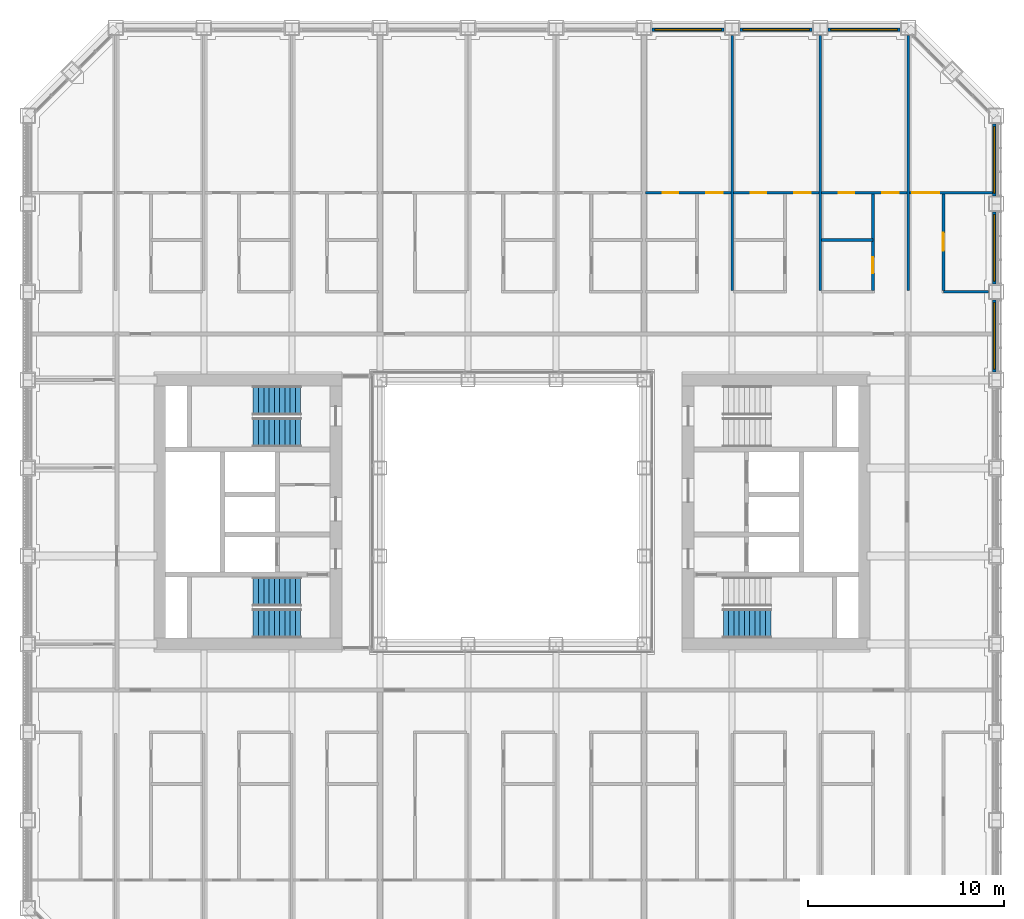
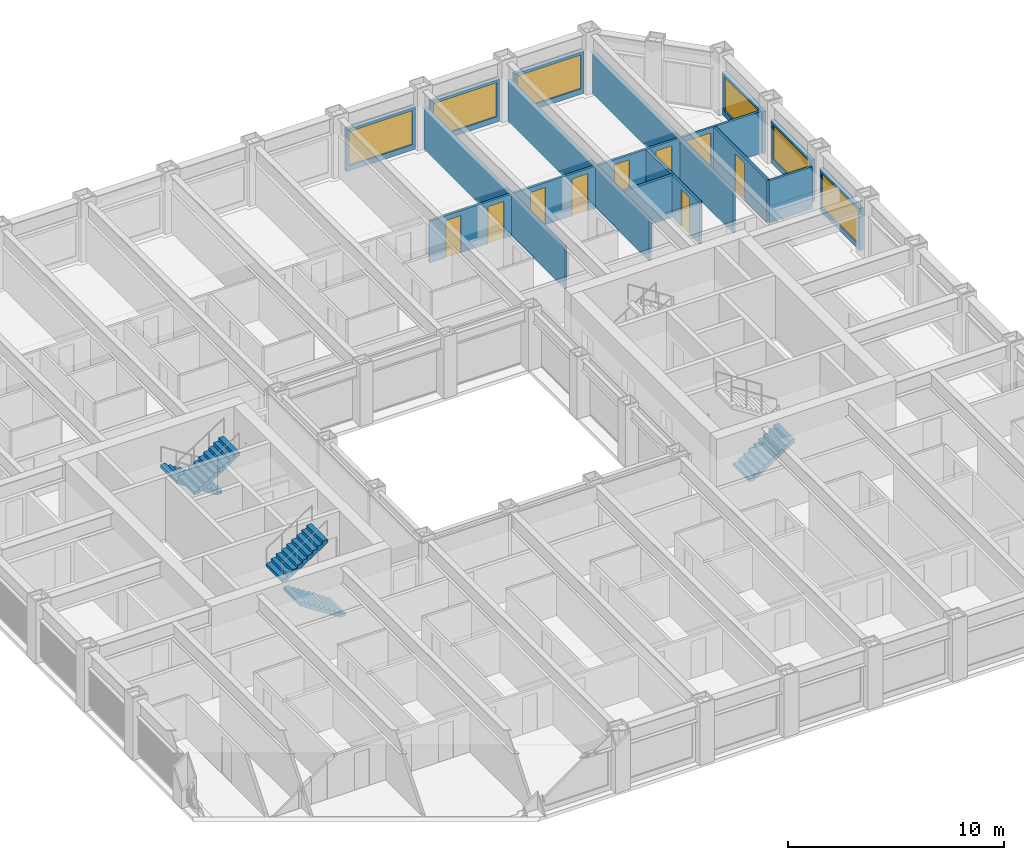
# One storey, part 15 of 21: 17 walls, 9 doors, 6 windows, 5 stair flights, 15 openings, 3 elements without a shape of their own.
"""IFC4 building model written with IfcOpenShell, lengths in metres."""

from ifc_helpers import new_model, si_unit, direction, frame, frame_2d, origin, place, context, subcontext, project, spatial, polyline, rectangle, outline, extrude, material, layer, layer_set, type_object, element, fill, aggregate, save


model = new_model("IFC4")

# Units and contexts
model_context = context("Model", 3, precision=1e-05, world=origin(), true_north=direction((0.0, 1.0)))
body_context = subcontext(model_context, "Body", "Model", "MODEL_VIEW")
ifc_project = project(units=[si_unit("LENGTHUNIT", "METRE"), si_unit("AREAUNIT", "SQUARE_METRE"), si_unit("VOLUMEUNIT", "CUBIC_METRE"), si_unit("PLANEANGLEUNIT", "RADIAN"), si_unit("MASSUNIT", "GRAM", prefix="KILO")], contexts=[model_context])

# Site, building, storey
site_placement = place(None, origin())
site = spatial("IfcSite", under=ifc_project, at=site_placement, CompositionType="ELEMENT")
building_placement = place(site_placement, origin())
building = spatial("IfcBuilding", under=site, at=building_placement, Name="Msasa Ring Tower", CompositionType="ELEMENT")
storey_placement = place(building_placement, frame((0.0, 0.0, 89.5)))
storey = spatial("IfcBuildingStorey", under=building, at=storey_placement, Name="L23", CompositionType="ELEMENT", Elevation=89.5)

# Wall, opening, window
ifc_material_1 = material(Name="Terracotta rainscreen on blockwork", Category="masonry")
ifc_layer_1 = layer(ifc_material_1, 0.199951171875)
ifc_layer_set_1 = layer_set([ifc_layer_1], Name="FW1 TERRACOTTA-LINED INFILL BAY WALL 200")
wall_type_1 = type_object("IfcWallType", Name="FW1 TERRACOTTA-LINED INFILL BAY WALL 200", PredefinedType="SOLIDWALL", material=ifc_layer_set_1)
wall_1_placement = place(storey_placement, frame((24.64990234375, 7.155029296875, 0.0), z_axis=(0.0, 0.0, 1.0), x_axis=(0.0, 1.0, 0.0)))
wall_1 = element("IfcWall", 1, at=wall_1_placement, inside=storey, type_object=wall_type_1, Name="Infill bay wall E L23 17", PredefinedType="SOLIDWALL", context=body_context, shape_type="SweptSolid", body=[
    extrude(rectangle(XDim=3.68994140625, YDim=0.199951171875, at=frame_2d((1.844970703125, 0.0))), origin(), (0.0, 0.0, 1.0), 2.37890625),
])
opening_1_placement = place(wall_1_placement, frame((0.14501953125, 0.0, 0.300048828125)))
opening_1 = element("IfcOpeningElement", 2, at=opening_1_placement, cuts=wall_1, Name="Opening WN1", PredefinedType="OPENING", context=body_context, shape_type="SweptSolid", body=[
    extrude(rectangle(XDim=3.39990234375, YDim=1.928955078125, at=frame_2d((1.699951171875, 0.96435546875))), frame((0.0, 0.10986328125, 0.0), z_axis=(0.0, -1.0, 0.0), x_axis=(1.0, 0.0, 0.0)), (0.0, 0.0, 1.0), 0.219970703125),
])
ifc_material_2 = material(Name="Aluminium frame with clear glass", Category="aluminium")
window_type = type_object("IfcWindowType", Name="WN1 RESIDENCE WINDOW 3400x1929", PartitioningType="SINGLE_PANEL", PredefinedType="WINDOW", material=ifc_material_2)
window_1_placement = place(opening_1_placement, origin())
window_1 = element("IfcWindow", 3, at=window_1_placement, inside=storey, type_object=window_type, Name="Window E L23 17", OverallHeight=1.928955078125, OverallWidth=3.39990234375, PartitioningType="SINGLE_PANEL", PredefinedType="WINDOW", context=body_context, shape_type="SweptSolid", body=[
    extrude(rectangle(XDim=3.39990234375, YDim=1.928955078125, at=frame_2d((1.699951171875, 0.96435546875))), frame((0.0, 0.030029296875, 0.0), z_axis=(0.0, -1.0, 0.0), x_axis=(1.0, 0.0, 0.0)), (0.0, 0.0, 1.0), 0.06005859375),
])
fill(opening_1, window_1)

wall_2_placement = place(storey_placement, frame((24.64990234375, 11.655029296875, 0.0), z_axis=(0.0, 0.0, 1.0), x_axis=(0.0, 1.0, 0.0)))
wall_2 = element("IfcWall", 4, at=wall_2_placement, inside=storey, type_object=wall_type_1, Name="Infill bay wall E L23 18", PredefinedType="SOLIDWALL", context=body_context, shape_type="SweptSolid", body=[
    extrude(rectangle(XDim=3.68994140625, YDim=0.199951171875, at=frame_2d((1.844970703125, 0.0))), origin(), (0.0, 0.0, 1.0), 2.37890625),
])
opening_2_placement = place(wall_2_placement, frame((0.14501953125, 0.0, 0.300048828125)))
opening_2 = element("IfcOpeningElement", 5, at=opening_2_placement, cuts=wall_2, Name="Opening WN1", PredefinedType="OPENING", context=body_context, shape_type="SweptSolid", body=[
    extrude(rectangle(XDim=3.39990234375, YDim=1.928955078125, at=frame_2d((1.699951171875, 0.96435546875))), frame((0.0, 0.10986328125, 0.0), z_axis=(0.0, -1.0, 0.0), x_axis=(1.0, 0.0, 0.0)), (0.0, 0.0, 1.0), 0.219970703125),
])
window_2_placement = place(opening_2_placement, origin())
window_2 = element("IfcWindow", 6, at=window_2_placement, inside=storey, type_object=window_type, Name="Window E L23 18", OverallHeight=1.928955078125, OverallWidth=3.39990234375, PartitioningType="SINGLE_PANEL", PredefinedType="WINDOW", context=body_context, shape_type="SweptSolid", body=[
    extrude(rectangle(XDim=3.39990234375, YDim=1.928955078125, at=frame_2d((1.699951171875, 0.96435546875))), frame((0.0, 0.030029296875, 0.0), z_axis=(0.0, -1.0, 0.0), x_axis=(1.0, 0.0, 0.0)), (0.0, 0.0, 1.0), 0.06005859375),
])
fill(opening_2, window_2)

wall_3_placement = place(storey_placement, frame((24.64990234375, 16.155029296875, 0.0), z_axis=(0.0, 0.0, 1.0), x_axis=(0.0, 1.0, 0.0)))
wall_3 = element("IfcWall", 7, at=wall_3_placement, inside=storey, type_object=wall_type_1, Name="Infill bay wall E L23 19", PredefinedType="SOLIDWALL", context=body_context, shape_type="SweptSolid", body=[
    extrude(rectangle(XDim=3.68994140625, YDim=0.199951171875, at=frame_2d((1.844970703125, 0.0))), origin(), (0.0, 0.0, 1.0), 2.37890625),
])
opening_3_placement = place(wall_3_placement, frame((0.14501953125, 0.0, 0.300048828125)))
opening_3 = element("IfcOpeningElement", 8, at=opening_3_placement, cuts=wall_3, Name="Opening WN1", PredefinedType="OPENING", context=body_context, shape_type="SweptSolid", body=[
    extrude(rectangle(XDim=3.39990234375, YDim=1.928955078125, at=frame_2d((1.699951171875, 0.96435546875))), frame((0.0, 0.10986328125, 0.0), z_axis=(0.0, -1.0, 0.0), x_axis=(1.0, 0.0, 0.0)), (0.0, 0.0, 1.0), 0.219970703125),
])
window_3_placement = place(opening_3_placement, origin())
window_3 = element("IfcWindow", 9, at=window_3_placement, inside=storey, type_object=window_type, Name="Window E L23 19", OverallHeight=1.928955078125, OverallWidth=3.39990234375, PartitioningType="SINGLE_PANEL", PredefinedType="WINDOW", context=body_context, shape_type="SweptSolid", body=[
    extrude(rectangle(XDim=3.39990234375, YDim=1.928955078125, at=frame_2d((1.699951171875, 0.96435546875))), frame((0.0, 0.030029296875, 0.0), z_axis=(0.0, -1.0, 0.0), x_axis=(1.0, 0.0, 0.0)), (0.0, 0.0, 1.0), 0.06005859375),
])
fill(opening_3, window_3)

wall_4_placement = place(storey_placement, frame((7.155029296875, 24.64990234375, 0.0), z_axis=(0.0, 0.0, 1.0), x_axis=(1.0, 0.0, 0.0)))
wall_4 = element("IfcWall", 10, at=wall_4_placement, inside=storey, type_object=wall_type_1, Name="Infill bay wall N L23 28", PredefinedType="SOLIDWALL", context=body_context, shape_type="SweptSolid", body=[
    extrude(rectangle(XDim=3.68994140625, YDim=0.199951171875, at=frame_2d((1.844970703125, 0.0))), origin(), (0.0, 0.0, 1.0), 2.37890625),
])
opening_4_placement = place(wall_4_placement, frame((0.14501953125, 0.0, 0.300048828125)))
opening_4 = element("IfcOpeningElement", 11, at=opening_4_placement, cuts=wall_4, Name="Opening WN1", PredefinedType="OPENING", context=body_context, shape_type="SweptSolid", body=[
    extrude(rectangle(XDim=3.39990234375, YDim=1.928955078125, at=frame_2d((1.699951171875, 0.96435546875))), frame((0.0, 0.10986328125, 0.0), z_axis=(0.0, -1.0, 0.0), x_axis=(1.0, 0.0, 0.0)), (0.0, 0.0, 1.0), 0.219970703125),
])
window_4_placement = place(opening_4_placement, origin())
window_4 = element("IfcWindow", 12, at=window_4_placement, inside=storey, type_object=window_type, Name="Window N L23 28", OverallHeight=1.928955078125, OverallWidth=3.39990234375, PartitioningType="SINGLE_PANEL", PredefinedType="WINDOW", context=body_context, shape_type="SweptSolid", body=[
    extrude(rectangle(XDim=3.39990234375, YDim=1.928955078125, at=frame_2d((1.699951171875, 0.96435546875))), frame((0.0, 0.030029296875, 0.0), z_axis=(0.0, -1.0, 0.0), x_axis=(1.0, 0.0, 0.0)), (0.0, 0.0, 1.0), 0.06005859375),
])
fill(opening_4, window_4)

wall_5_placement = place(storey_placement, frame((11.655029296875, 24.64990234375, 0.0), z_axis=(0.0, 0.0, 1.0), x_axis=(1.0, 0.0, 0.0)))
wall_5 = element("IfcWall", 13, at=wall_5_placement, inside=storey, type_object=wall_type_1, Name="Infill bay wall N L23 29", PredefinedType="SOLIDWALL", context=body_context, shape_type="SweptSolid", body=[
    extrude(rectangle(XDim=3.68994140625, YDim=0.199951171875, at=frame_2d((1.844970703125, 0.0))), origin(), (0.0, 0.0, 1.0), 2.37890625),
])
opening_5_placement = place(wall_5_placement, frame((0.14501953125, 0.0, 0.300048828125)))
opening_5 = element("IfcOpeningElement", 14, at=opening_5_placement, cuts=wall_5, Name="Opening WN1", PredefinedType="OPENING", context=body_context, shape_type="SweptSolid", body=[
    extrude(rectangle(XDim=3.39990234375, YDim=1.928955078125, at=frame_2d((1.699951171875, 0.96435546875))), frame((0.0, 0.10986328125, 0.0), z_axis=(0.0, -1.0, 0.0), x_axis=(1.0, 0.0, 0.0)), (0.0, 0.0, 1.0), 0.219970703125),
])
window_5_placement = place(opening_5_placement, origin())
window_5 = element("IfcWindow", 15, at=window_5_placement, inside=storey, type_object=window_type, Name="Window N L23 29", OverallHeight=1.928955078125, OverallWidth=3.39990234375, PartitioningType="SINGLE_PANEL", PredefinedType="WINDOW", context=body_context, shape_type="SweptSolid", body=[
    extrude(rectangle(XDim=3.39990234375, YDim=1.928955078125, at=frame_2d((1.699951171875, 0.96435546875))), frame((0.0, 0.030029296875, 0.0), z_axis=(0.0, -1.0, 0.0), x_axis=(1.0, 0.0, 0.0)), (0.0, 0.0, 1.0), 0.06005859375),
])
fill(opening_5, window_5)

wall_6_placement = place(storey_placement, frame((16.155029296875, 24.64990234375, 0.0), z_axis=(0.0, 0.0, 1.0), x_axis=(1.0, 0.0, 0.0)))
wall_6 = element("IfcWall", 16, at=wall_6_placement, inside=storey, type_object=wall_type_1, Name="Infill bay wall N L23 30", PredefinedType="SOLIDWALL", context=body_context, shape_type="SweptSolid", body=[
    extrude(rectangle(XDim=3.68994140625, YDim=0.199951171875, at=frame_2d((1.844970703125, 0.0))), origin(), (0.0, 0.0, 1.0), 2.37890625),
])
opening_6_placement = place(wall_6_placement, frame((0.14501953125, 0.0, 0.300048828125)))
opening_6 = element("IfcOpeningElement", 17, at=opening_6_placement, cuts=wall_6, Name="Opening WN1", PredefinedType="OPENING", context=body_context, shape_type="SweptSolid", body=[
    extrude(rectangle(XDim=3.39990234375, YDim=1.928955078125, at=frame_2d((1.699951171875, 0.96435546875))), frame((0.0, 0.10986328125, 0.0), z_axis=(0.0, -1.0, 0.0), x_axis=(1.0, 0.0, 0.0)), (0.0, 0.0, 1.0), 0.219970703125),
])
window_6_placement = place(opening_6_placement, origin())
window_6 = element("IfcWindow", 18, at=window_6_placement, inside=storey, type_object=window_type, Name="Window N L23 30", OverallHeight=1.928955078125, OverallWidth=3.39990234375, PartitioningType="SINGLE_PANEL", PredefinedType="WINDOW", context=body_context, shape_type="SweptSolid", body=[
    extrude(rectangle(XDim=3.39990234375, YDim=1.928955078125, at=frame_2d((1.699951171875, 0.96435546875))), frame((0.0, 0.030029296875, 0.0), z_axis=(0.0, -1.0, 0.0), x_axis=(1.0, 0.0, 0.0)), (0.0, 0.0, 1.0), 0.06005859375),
])
fill(opening_6, window_6)

# Wall, opening, door
ifc_material_3 = material(Name="Moisture-resistant board on steel studs with a concealed cistern and pipe void, tiled", Category="steel")
ifc_layer_2 = layer(ifc_material_3, 0.14990234375)
ifc_layer_set_2 = layer_set([ifc_layer_2], Name="PT4 BATHROOM WET WALL 150")
wall_type_2 = type_object("IfcWallType", Name="PT4 BATHROOM WET WALL 150", PredefinedType="PARTITIONING", material=ifc_layer_set_2)
wall_7_placement = place(storey_placement, frame((22.050048828125, 11.3125, 0.0), z_axis=(0.0, 0.0, 1.0), x_axis=(0.0, 1.0, 0.0)))
wall_7 = element("IfcWall", 19, at=wall_7_placement, inside=storey, type_object=wall_type_2, Name="Partition L23-UN02SX0", PredefinedType="PARTITIONING", context=body_context, shape_type="SweptSolid", body=[
    extrude(rectangle(XDim=5.0, YDim=0.14990234375, at=frame_2d((2.5, 0.0))), origin(), (0.0, 0.0, 1.0), 2.373291015625),
])
opening_7_placement = place(wall_7_placement, frame((2.050048828125, 0.0, 0.0)))
opening_7 = element("IfcOpeningElement", 20, at=opening_7_placement, cuts=wall_7, Name="Opening RG-022", PredefinedType="OPENING", context=body_context, shape_type="SweptSolid", body=[
    extrude(rectangle(XDim=0.89990234375, YDim=2.10009765625, at=frame_2d((0.449951171875, 1.050048828125))), frame((0.0, 0.0849609375, 0.0), z_axis=(0.0, -1.0, 0.0), x_axis=(1.0, 0.0, 0.0)), (0.0, 0.0, 1.0), 0.169921875),
])
ifc_material_4 = material(Name="Timber door leaf in a steel frame", Category="steel")
door_type_1 = type_object("IfcDoorType", Name="D22 INTERNAL HALL DOOR 900x2100", OperationType="SINGLE_SWING_LEFT", PredefinedType="DOOR", material=ifc_material_4)
door_1_placement = place(opening_7_placement, origin())
door_1 = element("IfcDoor", 21, at=door_1_placement, inside=storey, type_object=door_type_1, Name="Door L23-UN02K", OperationType="SINGLE_SWING_LEFT", OverallHeight=2.10009765625, OverallWidth=0.89990234375, PredefinedType="DOOR", context=body_context, shape_type="SweptSolid", body=[
    extrude(rectangle(XDim=0.89990234375, YDim=2.10009765625, at=frame_2d((0.449951171875, 1.050048828125))), frame((0.0, 0.02490234375, 0.0), z_axis=(0.0, -1.0, 0.0), x_axis=(1.0, 0.0, 0.0)), (0.0, 0.0, 1.0), 0.050048828125),
])
fill(opening_7, door_1)

wall_8_placement = place(storey_placement, frame((18.449951171875, 11.3125, 0.0), z_axis=(0.0, 0.0, 1.0), x_axis=(0.0, 1.0, 0.0)))
wall_8 = element("IfcWall", 22, at=wall_8_placement, inside=storey, type_object=wall_type_2, Name="Partition L23-UN02SX1", PredefinedType="PARTITIONING", context=body_context, shape_type="SweptSolid", body=[
    extrude(rectangle(XDim=5.0, YDim=0.14990234375, at=frame_2d((2.5, 0.0))), origin(), (0.0, 0.0, 1.0), 2.373291015625),
])
opening_8_placement = place(wall_8_placement, frame((0.89990234375, 0.0, 0.0)))
opening_8 = element("IfcOpeningElement", 23, at=opening_8_placement, cuts=wall_8, Name="Opening RG-030", PredefinedType="OPENING", context=body_context, shape_type="SweptSolid", body=[
    extrude(rectangle(XDim=0.800048828125, YDim=2.10009765625, at=frame_2d((0.39990234375, 1.050048828125))), frame((0.0, 0.0849609375, 0.0), z_axis=(0.0, -1.0, 0.0), x_axis=(1.0, 0.0, 0.0)), (0.0, 0.0, 1.0), 0.169921875),
])
ifc_material_5 = material(Name="Timber door leaf in a steel frame", Category="steel")
door_type_2 = type_object("IfcDoorType", Name="D21 POCKET SLIDING BATHROOM DOOR 800x2100", OperationType="SINGLE_SWING_LEFT", PredefinedType="DOOR", material=ifc_material_5)
door_2_placement = place(opening_8_placement, origin())
door_2 = element("IfcDoor", 24, at=door_2_placement, inside=storey, type_object=door_type_2, Name="Door L23-UN02B1", OperationType="SINGLE_SWING_LEFT", OverallHeight=2.10009765625, OverallWidth=0.800048828125, PredefinedType="DOOR", context=body_context, shape_type="SweptSolid", body=[
    extrude(rectangle(XDim=0.800048828125, YDim=2.10009765625, at=frame_2d((0.39990234375, 1.050048828125))), frame((0.0, 0.02490234375, 0.0), z_axis=(0.0, -1.0, 0.0), x_axis=(1.0, 0.0, 0.0)), (0.0, 0.0, 1.0), 0.050048828125),
])
fill(opening_8, door_2)

# Walls
wall_9_placement = place(storey_placement, frame((15.8125, 13.91259765625, 0.0), z_axis=(0.0, 0.0, 1.0), x_axis=(1.0, 0.0, 0.0)))
element("IfcWall", 25, at=wall_9_placement, inside=storey, type_object=wall_type_2, Name="Partition L23-UN02SB1", PredefinedType="PARTITIONING", context=body_context, shape_type="SweptSolid", body=[
    extrude(rectangle(XDim=2.637451171875, YDim=0.14990234375, at=frame_2d((1.31884765625, 0.0))), origin(), (0.0, 0.0, 1.0), 2.373291015625),
])
ifc_material_6 = material(Name="Two layers of acoustic board each face on steel studs, mineral wool", Category="steel")
ifc_layer_3 = layer(ifc_material_6, 0.125)
ifc_layer_set_3 = layer_set([ifc_layer_3], Name="PT6 ACOUSTIC DOUBLE-BOARD PARTITION 125")
wall_type_3 = type_object("IfcWallType", Name="PT6 ACOUSTIC DOUBLE-BOARD PARTITION 125", PredefinedType="PARTITIONING", material=ifc_layer_set_3)
wall_10_placement = place(storey_placement, frame((22.050048828125, 11.25, 0.0), z_axis=(0.0, 0.0, 1.0), x_axis=(1.0, 0.0, 0.0)))
element("IfcWall", 26, at=wall_10_placement, inside=storey, type_object=wall_type_3, Name="Partition L23-UN02HY0", PredefinedType="PARTITIONING", context=body_context, shape_type="SweptSolid", body=[
    extrude(rectangle(XDim=2.300048828125, YDim=0.125, at=frame_2d((1.14990234375, 0.0))), origin(), (0.0, 0.0, 1.0), 2.373291015625),
])

# Wall, opening, door
wall_11_placement = place(storey_placement, frame((20.3125, 16.3125, 0.0), z_axis=(0.0, 0.0, 1.0), x_axis=(1.0, 0.0, 0.0)))
wall_11 = element("IfcWall", 27, at=wall_11_placement, inside=storey, type_object=wall_type_3, Name="Partition L23-UN02SY0", PredefinedType="PARTITIONING", context=body_context, shape_type="SweptSolid", body=[
    extrude(rectangle(XDim=4.237548828125, YDim=0.125, at=frame_2d((2.11865234375, 0.0))), origin(), (0.0, 0.0, 1.0), 2.373291015625),
])
opening_9_placement = place(wall_11_placement, frame((0.137451171875, 0.0, 0.0)))
opening_9 = element("IfcOpeningElement", 28, at=opening_9_placement, cuts=wall_11, Name="Opening RG-019", PredefinedType="OPENING", context=body_context, shape_type="SweptSolid", body=[
    extrude(rectangle(XDim=1.39990234375, YDim=2.10009765625, at=frame_2d((0.699951171875, 1.050048828125))), frame((0.0, 0.072509765625, 0.0), z_axis=(0.0, -1.0, 0.0), x_axis=(1.0, 0.0, 0.0)), (0.0, 0.0, 1.0), 0.14501953125),
])
ifc_material_7 = material(Name="Timber door leaf in a steel frame", Category="steel")
door_type_3 = type_object("IfcDoorType", Name="D15 LIVING ROOM PAIR OF GLAZED DOORS 1400x2100", OperationType="SINGLE_SWING_LEFT", PredefinedType="DOOR", material=ifc_material_7)
door_3_placement = place(opening_9_placement, origin())
door_3 = element("IfcDoor", 29, at=door_3_placement, inside=storey, type_object=door_type_3, Name="Door L23-UN02L", OperationType="SINGLE_SWING_LEFT", OverallHeight=2.10009765625, OverallWidth=1.39990234375, PredefinedType="DOOR", context=body_context, shape_type="SweptSolid", body=[
    extrude(rectangle(XDim=1.39990234375, YDim=2.10009765625, at=frame_2d((0.699951171875, 1.050048828125))), frame((0.0, 0.02490234375, 0.0), z_axis=(0.0, -1.0, 0.0), x_axis=(1.0, 0.0, 0.0)), (0.0, 0.0, 1.0), 0.050048828125),
])
fill(opening_9, door_3)

# Wall
wall_12_placement = place(storey_placement, frame((20.25, 11.3125, 0.0), z_axis=(0.0, 0.0, 1.0), x_axis=(0.0, 1.0, 0.0)))
element("IfcWall", 30, at=wall_12_placement, inside=storey, type_object=wall_type_3, Name="Partition L23-UN02P1", PredefinedType="PARTITIONING", context=body_context, shape_type="SweptSolid", body=[
    extrude(rectangle(XDim=13.03759765625, YDim=0.125, at=frame_2d((6.518798828125, 0.0))), origin(), (0.0, 0.0, 1.0), 2.373291015625),
])

# Wall, openings, doors
wall_13_placement = place(storey_placement, frame((15.8125, 16.3125, 0.0), z_axis=(0.0, 0.0, 1.0), x_axis=(1.0, 0.0, 0.0)))
wall_13 = element("IfcWall", 31, at=wall_13_placement, inside=storey, type_object=wall_type_3, Name="Partition L23-UN02SY1", PredefinedType="PARTITIONING", context=body_context, shape_type="SweptSolid", body=[
    extrude(rectangle(XDim=4.375, YDim=0.125, at=frame_2d((2.1875, 0.0))), origin(), (0.0, 0.0, 1.0), 2.373291015625),
])
opening_10_placement = place(wall_13_placement, frame((3.112548828125, 0.0, 0.0)))
opening_10 = element("IfcOpeningElement", 32, at=opening_10_placement, cuts=wall_13, Name="Opening RG-018", PredefinedType="OPENING", context=body_context, shape_type="SweptSolid", body=[
    extrude(rectangle(XDim=0.85009765625, YDim=2.10009765625, at=frame_2d((0.425048828125, 1.050048828125))), frame((0.0, 0.072509765625, 0.0), z_axis=(0.0, -1.0, 0.0), x_axis=(1.0, 0.0, 0.0)), (0.0, 0.0, 1.0), 0.14501953125),
])
opening_11_placement = place(wall_13_placement, frame((0.88134765625, 0.0, 0.0)))
opening_11 = element("IfcOpeningElement", 33, at=opening_11_placement, cuts=wall_13, Name="Opening RG-017", PredefinedType="OPENING", context=body_context, shape_type="SweptSolid", body=[
    extrude(rectangle(XDim=0.800048828125, YDim=2.10009765625, at=frame_2d((0.39990234375, 1.050048828125))), frame((0.0, 0.072509765625, 0.0), z_axis=(0.0, -1.0, 0.0), x_axis=(1.0, 0.0, 0.0)), (0.0, 0.0, 1.0), 0.14501953125),
])
ifc_material_8 = material(Name="Timber door leaf in a steel frame", Category="steel")
door_type_4 = type_object("IfcDoorType", Name="D14 BEDROOM DOOR 850x2100", OperationType="SINGLE_SWING_LEFT", PredefinedType="DOOR", material=ifc_material_8)
door_4_placement = place(opening_10_placement, origin())
door_4 = element("IfcDoor", 34, at=door_4_placement, inside=storey, type_object=door_type_4, Name="Door L23-UN02R1", OperationType="SINGLE_SWING_RIGHT", OverallHeight=2.10009765625, OverallWidth=0.85009765625, PredefinedType="DOOR", context=body_context, shape_type="SweptSolid", body=[
    extrude(rectangle(XDim=0.85009765625, YDim=2.10009765625, at=frame_2d((0.425048828125, 1.050048828125))), frame((0.0, 0.02490234375, 0.0), z_axis=(0.0, -1.0, 0.0), x_axis=(1.0, 0.0, 0.0)), (0.0, 0.0, 1.0), 0.050048828125),
])
fill(opening_10, door_4)
ifc_material_9 = material(Name="Timber door leaf in a steel frame", Category="steel")
door_type_5 = type_object("IfcDoorType", Name="D60 DRESSING ROOM DOOR 800x2100", OperationType="SINGLE_SWING_LEFT", PredefinedType="DOOR", material=ifc_material_9)
door_5_placement = place(opening_11_placement, origin())
door_5 = element("IfcDoor", 35, at=door_5_placement, inside=storey, type_object=door_type_5, Name="Door L23-UN02W1", OperationType="SINGLE_SWING_LEFT", OverallHeight=2.10009765625, OverallWidth=0.800048828125, PredefinedType="DOOR", context=body_context, shape_type="SweptSolid", body=[
    extrude(rectangle(XDim=0.800048828125, YDim=2.10009765625, at=frame_2d((0.39990234375, 1.050048828125))), frame((0.0, 0.02490234375, 0.0), z_axis=(0.0, -1.0, 0.0), x_axis=(1.0, 0.0, 0.0)), (0.0, 0.0, 1.0), 0.050048828125),
])
fill(opening_11, door_5)

# Wall
wall_14_placement = place(storey_placement, frame((15.75, 11.3125, 0.0), z_axis=(0.0, 0.0, 1.0), x_axis=(0.0, 1.0, 0.0)))
element("IfcWall", 36, at=wall_14_placement, inside=storey, type_object=wall_type_3, Name="Partition L23-UN02P2", PredefinedType="PARTITIONING", context=body_context, shape_type="SweptSolid", body=[
    extrude(rectangle(XDim=13.03759765625, YDim=0.125, at=frame_2d((6.518798828125, 0.0))), origin(), (0.0, 0.0, 1.0), 2.373291015625),
])

# Wall, openings, doors
wall_15_placement = place(storey_placement, frame((11.3125, 16.3125, 0.0), z_axis=(0.0, 0.0, 1.0), x_axis=(1.0, 0.0, 0.0)))
wall_15 = element("IfcWall", 37, at=wall_15_placement, inside=storey, type_object=wall_type_3, Name="Partition L23-UN02SY2", PredefinedType="PARTITIONING", context=body_context, shape_type="SweptSolid", body=[
    extrude(rectangle(XDim=4.375, YDim=0.125, at=frame_2d((2.1875, 0.0))), origin(), (0.0, 0.0, 1.0), 2.373291015625),
])
opening_12_placement = place(wall_15_placement, frame((3.112548828125, 0.0, 0.0)))
opening_12 = element("IfcOpeningElement", 38, at=opening_12_placement, cuts=wall_15, Name="Opening RG-016", PredefinedType="OPENING", context=body_context, shape_type="SweptSolid", body=[
    extrude(rectangle(XDim=0.85009765625, YDim=2.10009765625, at=frame_2d((0.425048828125, 1.050048828125))), frame((0.0, 0.072509765625, 0.0), z_axis=(0.0, -1.0, 0.0), x_axis=(1.0, 0.0, 0.0)), (0.0, 0.0, 1.0), 0.14501953125),
])
opening_13_placement = place(wall_15_placement, frame((0.88134765625, 0.0, 0.0)))
opening_13 = element("IfcOpeningElement", 39, at=opening_13_placement, cuts=wall_15, Name="Opening RG-015", PredefinedType="OPENING", context=body_context, shape_type="SweptSolid", body=[
    extrude(rectangle(XDim=0.800048828125, YDim=2.10009765625, at=frame_2d((0.39990234375, 1.050048828125))), frame((0.0, 0.072509765625, 0.0), z_axis=(0.0, -1.0, 0.0), x_axis=(1.0, 0.0, 0.0)), (0.0, 0.0, 1.0), 0.14501953125),
])
door_6_placement = place(opening_12_placement, origin())
door_6 = element("IfcDoor", 40, at=door_6_placement, inside=storey, type_object=door_type_4, Name="Door L23-UN02R2", OperationType="SINGLE_SWING_RIGHT", OverallHeight=2.10009765625, OverallWidth=0.85009765625, PredefinedType="DOOR", context=body_context, shape_type="SweptSolid", body=[
    extrude(rectangle(XDim=0.85009765625, YDim=2.10009765625, at=frame_2d((0.425048828125, 1.050048828125))), frame((0.0, 0.02490234375, 0.0), z_axis=(0.0, -1.0, 0.0), x_axis=(1.0, 0.0, 0.0)), (0.0, 0.0, 1.0), 0.050048828125),
])
fill(opening_12, door_6)
door_7_placement = place(opening_13_placement, origin())
door_7 = element("IfcDoor", 41, at=door_7_placement, inside=storey, type_object=door_type_5, Name="Door L23-UN02W2", OperationType="SINGLE_SWING_LEFT", OverallHeight=2.10009765625, OverallWidth=0.800048828125, PredefinedType="DOOR", context=body_context, shape_type="SweptSolid", body=[
    extrude(rectangle(XDim=0.800048828125, YDim=2.10009765625, at=frame_2d((0.39990234375, 1.050048828125))), frame((0.0, 0.02490234375, 0.0), z_axis=(0.0, -1.0, 0.0), x_axis=(1.0, 0.0, 0.0)), (0.0, 0.0, 1.0), 0.050048828125),
])
fill(opening_13, door_7)

# Wall
wall_16_placement = place(storey_placement, frame((11.25, 11.3125, 0.0), z_axis=(0.0, 0.0, 1.0), x_axis=(0.0, 1.0, 0.0)))
element("IfcWall", 42, at=wall_16_placement, inside=storey, type_object=wall_type_3, Name="Partition L23-UN02P3", PredefinedType="PARTITIONING", context=body_context, shape_type="SweptSolid", body=[
    extrude(rectangle(XDim=13.03759765625, YDim=0.125, at=frame_2d((6.518798828125, 0.0))), origin(), (0.0, 0.0, 1.0), 2.373291015625),
])

# Wall, openings, doors
wall_17_placement = place(storey_placement, frame((6.8173828125, 16.3125, 0.0), z_axis=(0.0, 0.0, 1.0), x_axis=(1.0, 0.0, 0.0)))
wall_17 = element("IfcWall", 43, at=wall_17_placement, inside=storey, type_object=wall_type_3, Name="Partition L23-UN02SY3", PredefinedType="PARTITIONING", context=body_context, shape_type="SweptSolid", body=[
    extrude(rectangle(XDim=4.3701171875, YDim=0.125, at=frame_2d((2.18505859375, 0.0))), origin(), (0.0, 0.0, 1.0), 2.373291015625),
])
opening_14_placement = place(wall_17_placement, frame((3.107421875, 0.0, 0.0)))
opening_14 = element("IfcOpeningElement", 44, at=opening_14_placement, cuts=wall_17, Name="Opening RG-014", PredefinedType="OPENING", context=body_context, shape_type="SweptSolid", body=[
    extrude(rectangle(XDim=0.85009765625, YDim=2.10009765625, at=frame_2d((0.425048828125, 1.050048828125))), frame((0.0, 0.072509765625, 0.0), z_axis=(0.0, -1.0, 0.0), x_axis=(1.0, 0.0, 0.0)), (0.0, 0.0, 1.0), 0.14501953125),
])
opening_15_placement = place(wall_17_placement, frame((0.876220703125, 0.0, 0.0)))
opening_15 = element("IfcOpeningElement", 45, at=opening_15_placement, cuts=wall_17, Name="Opening RG-013", PredefinedType="OPENING", context=body_context, shape_type="SweptSolid", body=[
    extrude(rectangle(XDim=0.800048828125, YDim=2.10009765625, at=frame_2d((0.39990234375, 1.050048828125))), frame((0.0, 0.072509765625, 0.0), z_axis=(0.0, -1.0, 0.0), x_axis=(1.0, 0.0, 0.0)), (0.0, 0.0, 1.0), 0.14501953125),
])
door_8_placement = place(opening_14_placement, origin())
door_8 = element("IfcDoor", 46, at=door_8_placement, inside=storey, type_object=door_type_4, Name="Door L23-UN02R3", OperationType="SINGLE_SWING_RIGHT", OverallHeight=2.10009765625, OverallWidth=0.85009765625, PredefinedType="DOOR", context=body_context, shape_type="SweptSolid", body=[
    extrude(rectangle(XDim=0.85009765625, YDim=2.10009765625, at=frame_2d((0.425048828125, 1.050048828125))), frame((0.0, 0.02490234375, 0.0), z_axis=(0.0, -1.0, 0.0), x_axis=(1.0, 0.0, 0.0)), (0.0, 0.0, 1.0), 0.050048828125),
])
fill(opening_14, door_8)
door_9_placement = place(opening_15_placement, origin())
door_9 = element("IfcDoor", 47, at=door_9_placement, inside=storey, type_object=door_type_5, Name="Door L23-UN02W3", OperationType="SINGLE_SWING_LEFT", OverallHeight=2.10009765625, OverallWidth=0.800048828125, PredefinedType="DOOR", context=body_context, shape_type="SweptSolid", body=[
    extrude(rectangle(XDim=0.800048828125, YDim=2.10009765625, at=frame_2d((0.39990234375, 1.050048828125))), frame((0.0, 0.02490234375, 0.0), z_axis=(0.0, -1.0, 0.0), x_axis=(1.0, 0.0, 0.0)), (0.0, 0.0, 1.0), 0.050048828125),
])
fill(opening_15, door_9)

# Stair, stair flight
ifc_material_10 = material(Name="Concrete C40/50", Category="concrete")
stair_type = type_object("IfcStairType", Name="STC CORE STAIR 20 RISERS 175", PredefinedType="HALF_TURN_STAIR", material=ifc_material_10)
stair_1_placement = place(storey_placement, origin())
stair_1 = element("IfcStair", 48, at=stair_1_placement, inside=storey, type_object=stair_type, Name="Core stair SEA L23", PredefinedType="HALF_TURN_STAIR")
ifc_material_11 = material(Name="Concrete C40/50", Category="concrete")
stair_flight_type = type_object("IfcStairFlightType", Name="ST12 CORE STAIR FLIGHT 1500 10 RISERS 175", PredefinedType="STRAIGHT", material=ifc_material_11)
stair_flight_1_placement = place(storey_placement, frame((10.800048828125, -5.699951171875, 0.0), z_axis=(0.0, 0.0, 1.0), x_axis=(1.0, 0.0, 0.0)))
stair_flight_1 = element("IfcStairFlight", 49, at=stair_flight_1_placement, type_object=stair_flight_type, Name="SEA flight 1", NumberOfRisers=10, NumberOfTreads=9, PredefinedType="STRAIGHT", RiserHeight=0.175, TreadLength=0.27, context=body_context, shape_type="SweptSolid", body=[
    extrude(outline(polyline([(0.0, 0.0), (0.0, 0.175048828125), (0.27001953125, 0.175048828125), (0.27001953125, 0.35009765625), (0.5400390625, 0.35009765625), (0.5400390625, 0.52490234375), (0.81005859375, 0.52490234375), (0.81005859375, 0.699951171875), (1.080078125, 0.699951171875), (1.080078125, 0.875), (1.35009765625, 0.875), (1.35009765625, 1.050048828125), (1.6201171875, 1.050048828125), (1.6201171875, 1.22509765625), (1.889892578125, 1.22509765625), (1.889892578125, 1.39990234375), (2.159912109375, 1.39990234375), (2.159912109375, 1.574951171875), (2.429931640625, 1.574951171875), (2.429931640625, 1.75), (2.429931640625, 1.396484375), (0.275634765625, 0.0), (0.0, 0.0)])), frame((0.0, 0.75, 0.0), z_axis=(0.0, -1.0, 0.0), x_axis=(1.0, 0.0, 0.0)), (0.0, 0.0, 1.0), 1.5),
])
aggregate(stair_1, [stair_flight_1])

# Stair, stair flights
stair_2_placement = place(storey_placement, origin())
stair_2 = element("IfcStair", 50, at=stair_2_placement, inside=storey, type_object=stair_type, Name="Core stair SWA L23", PredefinedType="HALF_TURN_STAIR")
stair_flight_2_placement = place(storey_placement, frame((-10.800048828125, -5.699951171875, 0.0), z_axis=(0.0, 0.0, 1.0), x_axis=(-1.0, 0.0, 0.0)))
stair_flight_2 = element("IfcStairFlight", 51, at=stair_flight_2_placement, type_object=stair_flight_type, Name="SWA flight 1", NumberOfRisers=10, NumberOfTreads=9, PredefinedType="STRAIGHT", RiserHeight=0.175, TreadLength=0.27, context=body_context, shape_type="SweptSolid", body=[
    extrude(outline(polyline([(0.0, 0.0), (0.0, 0.175048828125), (0.27001953125, 0.175048828125), (0.27001953125, 0.35009765625), (0.5400390625, 0.35009765625), (0.5400390625, 0.52490234375), (0.81005859375, 0.52490234375), (0.81005859375, 0.699951171875), (1.080078125, 0.699951171875), (1.080078125, 0.875), (1.35009765625, 0.875), (1.35009765625, 1.050048828125), (1.6201171875, 1.050048828125), (1.6201171875, 1.22509765625), (1.889892578125, 1.22509765625), (1.889892578125, 1.39990234375), (2.159912109375, 1.39990234375), (2.159912109375, 1.574951171875), (2.429931640625, 1.574951171875), (2.429931640625, 1.75), (2.429931640625, 1.396484375), (0.275634765625, 0.0), (0.0, 0.0)])), frame((0.0, 0.75, 0.0), z_axis=(0.0, -1.0, 0.0), x_axis=(1.0, 0.0, 0.0)), (0.0, 0.0, 1.0), 1.5),
])
stair_flight_3_placement = place(storey_placement, frame((-13.22998046875, -4.074951171875, 1.75), z_axis=(0.0, 0.0, 1.0), x_axis=(1.0, 0.0, 0.0)))
stair_flight_3 = element("IfcStairFlight", 52, at=stair_flight_3_placement, type_object=stair_flight_type, Name="SWA flight 2", NumberOfRisers=10, NumberOfTreads=9, PredefinedType="STRAIGHT", RiserHeight=0.175, TreadLength=0.27, context=body_context, shape_type="SweptSolid", body=[
    extrude(outline(polyline([(0.0, 0.0), (0.0, 0.175048828125), (0.27001953125, 0.175048828125), (0.27001953125, 0.35009765625), (0.5400390625, 0.35009765625), (0.5400390625, 0.52490234375), (0.81005859375, 0.52490234375), (0.81005859375, 0.699951171875), (1.080078125, 0.699951171875), (1.080078125, 0.875), (1.35009765625, 0.875), (1.35009765625, 1.050048828125), (1.6201171875, 1.050048828125), (1.6201171875, 1.22509765625), (1.889892578125, 1.22509765625), (1.889892578125, 1.39990234375), (2.159912109375, 1.39990234375), (2.159912109375, 1.574951171875), (2.429931640625, 1.574951171875), (2.429931640625, 1.75), (2.429931640625, 1.396484375), (0.275634765625, 0.0), (0.0, 0.0)])), frame((0.0, 0.75, 0.0), z_axis=(0.0, -1.0, 0.0), x_axis=(1.0, 0.0, 0.0)), (0.0, 0.0, 1.0), 1.5),
])
aggregate(stair_2, [stair_flight_2, stair_flight_3])

stair_3_placement = place(storey_placement, origin())
stair_3 = element("IfcStair", 53, at=stair_3_placement, inside=storey, type_object=stair_type, Name="Core stair SWB L23", PredefinedType="HALF_TURN_STAIR")
stair_flight_4_placement = place(storey_placement, frame((-10.800048828125, 5.699951171875, 0.0), z_axis=(0.0, 0.0, 1.0), x_axis=(-1.0, 0.0, 0.0)))
stair_flight_4 = element("IfcStairFlight", 54, at=stair_flight_4_placement, type_object=stair_flight_type, Name="SWB flight 1", NumberOfRisers=10, NumberOfTreads=9, PredefinedType="STRAIGHT", RiserHeight=0.175, TreadLength=0.27, context=body_context, shape_type="SweptSolid", body=[
    extrude(outline(polyline([(0.0, 0.0), (0.0, 0.175048828125), (0.27001953125, 0.175048828125), (0.27001953125, 0.35009765625), (0.5400390625, 0.35009765625), (0.5400390625, 0.52490234375), (0.81005859375, 0.52490234375), (0.81005859375, 0.699951171875), (1.080078125, 0.699951171875), (1.080078125, 0.875), (1.35009765625, 0.875), (1.35009765625, 1.050048828125), (1.6201171875, 1.050048828125), (1.6201171875, 1.22509765625), (1.889892578125, 1.22509765625), (1.889892578125, 1.39990234375), (2.159912109375, 1.39990234375), (2.159912109375, 1.574951171875), (2.429931640625, 1.574951171875), (2.429931640625, 1.75), (2.429931640625, 1.396484375), (0.275634765625, 0.0), (0.0, 0.0)])), frame((0.0, 0.75, 0.0), z_axis=(0.0, -1.0, 0.0), x_axis=(1.0, 0.0, 0.0)), (0.0, 0.0, 1.0), 1.5),
])
stair_flight_5_placement = place(storey_placement, frame((-13.22998046875, 4.074951171875, 1.75), z_axis=(0.0, 0.0, 1.0), x_axis=(1.0, 0.0, 0.0)))
stair_flight_5 = element("IfcStairFlight", 55, at=stair_flight_5_placement, type_object=stair_flight_type, Name="SWB flight 2", NumberOfRisers=10, NumberOfTreads=9, PredefinedType="STRAIGHT", RiserHeight=0.175, TreadLength=0.27, context=body_context, shape_type="SweptSolid", body=[
    extrude(outline(polyline([(0.0, 0.0), (0.0, 0.175048828125), (0.27001953125, 0.175048828125), (0.27001953125, 0.35009765625), (0.5400390625, 0.35009765625), (0.5400390625, 0.52490234375), (0.81005859375, 0.52490234375), (0.81005859375, 0.699951171875), (1.080078125, 0.699951171875), (1.080078125, 0.875), (1.35009765625, 0.875), (1.35009765625, 1.050048828125), (1.6201171875, 1.050048828125), (1.6201171875, 1.22509765625), (1.889892578125, 1.22509765625), (1.889892578125, 1.39990234375), (2.159912109375, 1.39990234375), (2.159912109375, 1.574951171875), (2.429931640625, 1.574951171875), (2.429931640625, 1.75), (2.429931640625, 1.396484375), (0.275634765625, 0.0), (0.0, 0.0)])), frame((0.0, 0.75, 0.0), z_axis=(0.0, -1.0, 0.0), x_axis=(1.0, 0.0, 0.0)), (0.0, 0.0, 1.0), 1.5),
])
aggregate(stair_3, [stair_flight_4, stair_flight_5])

save(model, "model.ifc")
